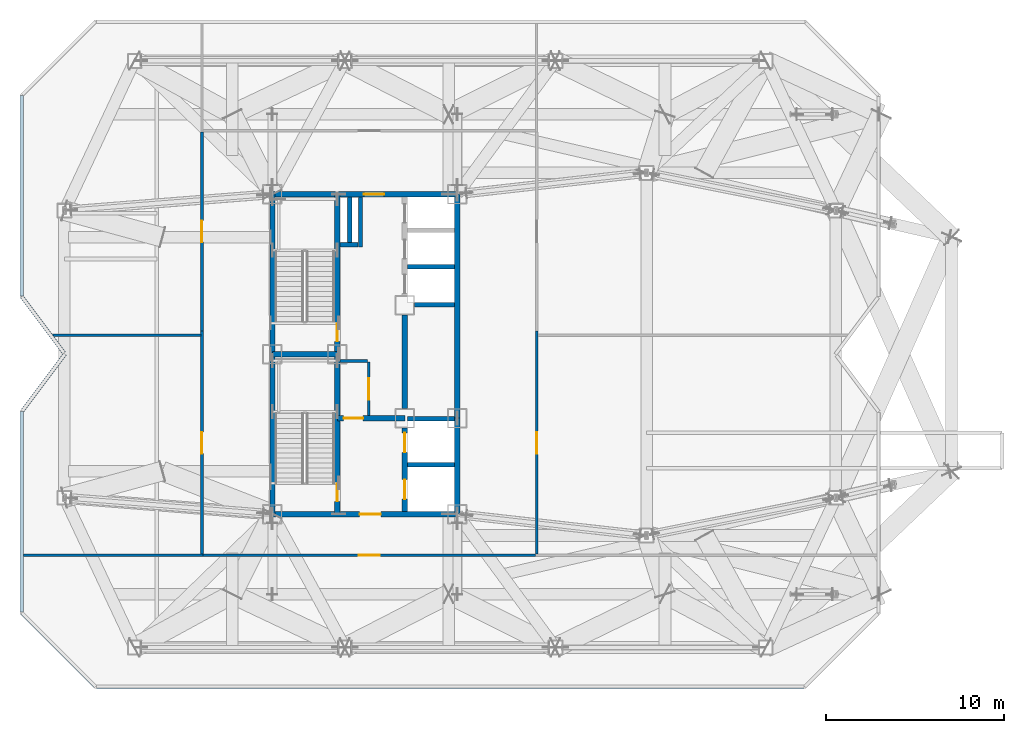
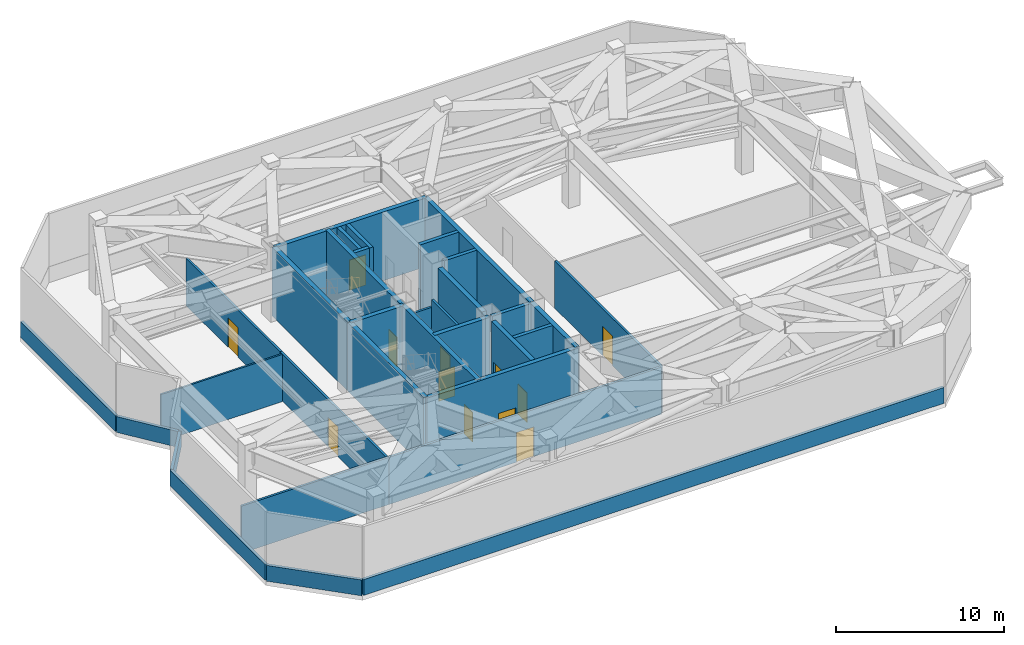
# One storey, part 14 of 19: 33 walls, 12 doors, 12 openings.
"""IFC4 building model written with IfcOpenShell, lengths in metres."""

from ifc_helpers import new_model, si_unit, direction, frame, frame_2d, origin, place, context, subcontext, project, spatial, rectangle, extrude, material, layer, layer_set, type_object, element, fill, save


model = new_model("IFC4")

# Units and contexts
model_context = context("Model", 3, precision=1e-05, world=origin(), true_north=direction((0.0, 1.0)))
body_context = subcontext(model_context, "Body", "Model", "MODEL_VIEW")
ifc_project = project(units=[si_unit("LENGTHUNIT", "METRE"), si_unit("AREAUNIT", "SQUARE_METRE"), si_unit("VOLUMEUNIT", "CUBIC_METRE"), si_unit("PLANEANGLEUNIT", "RADIAN"), si_unit("MASSUNIT", "GRAM", prefix="KILO")], contexts=[model_context])

# Site, building, storey
site_placement = place(None, origin())
site = spatial("IfcSite", under=ifc_project, at=site_placement, CompositionType="ELEMENT")
building_placement = place(site_placement, origin())
building = spatial("IfcBuilding", under=site, at=building_placement, Name="Khamvora Tower", CompositionType="ELEMENT")
storey_placement = place(building_placement, frame((0.0, 0.0, 211.800048828125)))
storey = spatial("IfcBuildingStorey", under=building, at=storey_placement, Name="L54", CompositionType="ELEMENT", Elevation=211.800048828125)

# Walls
ifc_material_1 = material(Name="Concrete C50/60", Category="concrete")
ifc_layer_1 = layer(ifc_material_1, 0.300048828125)
ifc_layer_set_1 = layer_set([ifc_layer_1], Name="Concrete C50/60")
wall_type_1 = type_object("IfcWallType", Name="WAL-CORE-300", PredefinedType="SHEAR", material=ifc_layer_set_1)
for number, where, z_axis, x_axis, name in (
    (1, (29.0, 19.0, 0.0), (0.0, 0.0, 1.0), (0.0, 1.0, 0.0), "L54 central core west south wall"),
    (2, (29.0, 28.0, 0.0), (0.0, 0.0, 1.0), (0.0, 1.0, 0.0), "L54 central core west north wall"),
):
    element("IfcWall", number, at=place(storey_placement, frame(where, z_axis=z_axis, x_axis=x_axis)), inside=storey, type_object=wall_type_1, Name=name, PredefinedType="SHEAR", context=body_context, shape_type="SweptSolid", body=[
        extrude(rectangle(XDim=9.0, YDim=0.300048828125, at=frame_2d((4.5, 0.0))), origin(), (0.0, 0.0, 1.0), 4.97998046875),
    ])

# Wall, opening, door
wall_1_placement = place(storey_placement, frame((29.0, 19.0, 0.0), z_axis=(0.0, 0.0, 1.0), x_axis=(1.0, 0.0, 0.0)))
wall_1 = element("IfcWall", 3, at=wall_1_placement, inside=storey, type_object=wall_type_1, Name="L54 central core south wall", PredefinedType="SHEAR", context=body_context, shape_type="SweptSolid", body=[
    extrude(rectangle(XDim=10.39990234375, YDim=0.300048828125, at=frame_2d((5.199951171875, 0.0))), origin(), (0.0, 0.0, 1.0), 4.97998046875),
])
opening_1_placement = place(wall_1_placement, frame((4.89990234375, 0.0, 0.0)))
opening_1 = element("IfcOpeningElement", 4, at=opening_1_placement, cuts=wall_1, Name="Opening D-CR1", PredefinedType="OPENING", context=body_context, shape_type="SweptSolid", body=[
    extrude(rectangle(XDim=1.199951171875, YDim=2.14990234375, at=frame_2d((0.60009765625, 1.074951171875))), frame((0.0, 0.159912109375, 0.0), z_axis=(0.0, -1.0, 0.0), x_axis=(1.0, 0.0, 0.0)), (0.0, 0.0, 1.0), 0.320068359375),
])
ifc_material_2 = material(Name="Powder-Coated Steel and Hardwood Leaf", Category="steel")
door_type_1 = type_object("IfcDoorType", Name="DOR-CORR-1200", OperationType="NOTDEFINED", PredefinedType="DOOR", material=ifc_material_2)
door_1_placement = place(opening_1_placement, origin())
door_1 = element("IfcDoor", 5, at=door_1_placement, inside=storey, type_object=door_type_1, Name="L54 south core lobby to corridor fire door", OperationType="SINGLE_SWING_LEFT", OverallHeight=2.14990234375, OverallWidth=1.199951171875, PredefinedType="DOOR", context=body_context, shape_type="SweptSolid", body=[
    extrude(rectangle(XDim=1.199951171875, YDim=2.14990234375, at=frame_2d((0.60009765625, 1.074951171875))), frame((0.0, 0.02490234375, 0.0), z_axis=(0.0, -1.0, 0.0), x_axis=(1.0, 0.0, 0.0)), (0.0, 0.0, 1.0), 0.050048828125),
])
fill(opening_1, door_1)

wall_2_placement = place(storey_placement, frame((29.0, 37.0, 0.0), z_axis=(0.0, 0.0, 1.0), x_axis=(1.0, 0.0, 0.0)))
wall_2 = element("IfcWall", 6, at=wall_2_placement, inside=storey, type_object=wall_type_1, Name="L54 central core north wall", PredefinedType="SHEAR", context=body_context, shape_type="SweptSolid", body=[
    extrude(rectangle(XDim=10.39990234375, YDim=0.300048828125, at=frame_2d((5.199951171875, 0.0))), origin(), (0.0, 0.0, 1.0), 4.97998046875),
])
opening_2_placement = place(wall_2_placement, frame((5.139892578125, 0.0, 0.0)))
opening_2 = element("IfcOpeningElement", 7, at=opening_2_placement, cuts=wall_2, Name="Opening D-SC1", PredefinedType="OPENING", context=body_context, shape_type="SweptSolid", body=[
    extrude(rectangle(XDim=1.14990234375, YDim=2.199951171875, at=frame_2d((0.574951171875, 1.10009765625))), frame((0.0, 0.159912109375, 0.0), z_axis=(0.0, -1.0, 0.0), x_axis=(1.0, 0.0, 0.0)), (0.0, 0.0, 1.0), 0.320068359375),
])
door_type_2 = type_object("IfcDoorType", Name="DOR-SCHL-1150", OperationType="NOTDEFINED", PredefinedType="DOOR", material=ifc_material_2)
door_2_placement = place(opening_2_placement, origin())
door_2 = element("IfcDoor", 8, at=door_2_placement, inside=storey, type_object=door_type_2, Name="L54 north core lobby to corridor fire door", OperationType="SINGLE_SWING_RIGHT", OverallHeight=2.199951171875, OverallWidth=1.14990234375, PredefinedType="DOOR", context=body_context, shape_type="SweptSolid", body=[
    extrude(rectangle(XDim=1.14990234375, YDim=2.199951171875, at=frame_2d((0.574951171875, 1.10009765625))), frame((0.0, 0.02490234375, 0.0), z_axis=(0.0, -1.0, 0.0), x_axis=(1.0, 0.0, 0.0)), (0.0, 0.0, 1.0), 0.050048828125),
])
fill(opening_2, door_2)

# Walls
wall_3_placement = place(storey_placement, frame((39.39990234375, 19.0, 0.0), z_axis=(0.0, 0.0, 1.0), x_axis=(0.0, 1.0, 0.0)))
element("IfcWall", 9, at=wall_3_placement, inside=storey, type_object=wall_type_1, Name="L54 central core east south wall", PredefinedType="SHEAR", context=body_context, shape_type="SweptSolid", body=[
    extrude(rectangle(XDim=5.39990234375, YDim=0.300048828125, at=frame_2d((2.699951171875, 0.0))), origin(), (0.0, 0.0, 1.0), 4.97998046875),
])
wall_4_placement = place(storey_placement, frame((39.39990234375, 24.39990234375, 0.0), z_axis=(0.0, 0.0, 1.0), x_axis=(0.0, 1.0, 0.0)))
element("IfcWall", 10, at=wall_4_placement, inside=storey, type_object=wall_type_1, Name="L54 central core east north wall", PredefinedType="SHEAR", context=body_context, shape_type="SweptSolid", body=[
    extrude(rectangle(XDim=12.60009765625, YDim=0.300048828125, at=frame_2d((6.300048828125, 0.0))), origin(), (0.0, 0.0, 1.0), 4.97998046875),
])

# Wall, opening, door
wall_5_placement = place(storey_placement, frame((32.64990234375, 19.0, 0.0), z_axis=(0.0, 0.0, 1.0), x_axis=(0.0, 1.0, 0.0)))
wall_5 = element("IfcWall", 11, at=wall_5_placement, inside=storey, type_object=wall_type_1, Name="L54 central core stair south spine wall", PredefinedType="SHEAR", context=body_context, shape_type="SweptSolid", body=[
    extrude(rectangle(XDim=9.0, YDim=0.300048828125, at=frame_2d((4.5, 0.0))), origin(), (0.0, 0.0, 1.0), 4.97998046875),
])
opening_3_placement = place(wall_5_placement, frame((0.719970703125, 0.0, 0.0)))
opening_3 = element("IfcOpeningElement", 12, at=opening_3_placement, cuts=wall_5, Name="Opening D-ST1", PredefinedType="OPENING", context=body_context, shape_type="SweptSolid", body=[
    extrude(rectangle(XDim=1.0, YDim=2.14990234375, at=frame_2d((0.5, 1.074951171875))), frame((0.0, 0.159912109375, 0.0), z_axis=(0.0, -1.0, 0.0), x_axis=(1.0, 0.0, 0.0)), (0.0, 0.0, 1.0), 0.320068359375),
])
door_type_3 = type_object("IfcDoorType", Name="DOR-STAIR-1000", OperationType="NOTDEFINED", PredefinedType="DOOR", material=ifc_material_2)
door_3_placement = place(opening_3_placement, origin())
door_3 = element("IfcDoor", 13, at=door_3_placement, inside=storey, type_object=door_type_3, Name="L54 exit stair ST-01 fire door", OperationType="SINGLE_SWING_RIGHT", OverallHeight=2.14990234375, OverallWidth=1.0, PredefinedType="DOOR", context=body_context, shape_type="SweptSolid", body=[
    extrude(rectangle(XDim=1.0, YDim=2.14990234375, at=frame_2d((0.5, 1.074951171875))), frame((0.0, 0.02490234375, 0.0), z_axis=(0.0, -1.0, 0.0), x_axis=(1.0, 0.0, 0.0)), (0.0, 0.0, 1.0), 0.050048828125),
])
fill(opening_3, door_3)

wall_6_placement = place(storey_placement, frame((32.64990234375, 28.0, 0.0), z_axis=(0.0, 0.0, 1.0), x_axis=(0.0, 1.0, 0.0)))
wall_6 = element("IfcWall", 14, at=wall_6_placement, inside=storey, type_object=wall_type_1, Name="L54 central core stair north spine wall", PredefinedType="SHEAR", context=body_context, shape_type="SweptSolid", body=[
    extrude(rectangle(XDim=9.0, YDim=0.300048828125, at=frame_2d((4.5, 0.0))), origin(), (0.0, 0.0, 1.0), 4.97998046875),
])
opening_4_placement = place(wall_6_placement, frame((0.719970703125, 0.0, 0.0)))
opening_4 = element("IfcOpeningElement", 15, at=opening_4_placement, cuts=wall_6, Name="Opening D-ST1", PredefinedType="OPENING", context=body_context, shape_type="SweptSolid", body=[
    extrude(rectangle(XDim=1.0, YDim=2.14990234375, at=frame_2d((0.5, 1.074951171875))), frame((0.0, 0.159912109375, 0.0), z_axis=(0.0, -1.0, 0.0), x_axis=(1.0, 0.0, 0.0)), (0.0, 0.0, 1.0), 0.320068359375),
])
door_4_placement = place(opening_4_placement, origin())
door_4 = element("IfcDoor", 16, at=door_4_placement, inside=storey, type_object=door_type_3, Name="L54 exit stair ST-02 fire door", OperationType="SINGLE_SWING_RIGHT", OverallHeight=2.14990234375, OverallWidth=1.0, PredefinedType="DOOR", context=body_context, shape_type="SweptSolid", body=[
    extrude(rectangle(XDim=1.0, YDim=2.14990234375, at=frame_2d((0.5, 1.074951171875))), frame((0.0, 0.02490234375, 0.0), z_axis=(0.0, -1.0, 0.0), x_axis=(1.0, 0.0, 0.0)), (0.0, 0.0, 1.0), 0.050048828125),
])
fill(opening_4, door_4)

# Wall
wall_7_placement = place(storey_placement, frame((29.0, 28.0, 0.0), z_axis=(0.0, 0.0, 1.0), x_axis=(1.0, 0.0, 0.0)))
element("IfcWall", 17, at=wall_7_placement, inside=storey, type_object=wall_type_1, Name="L54 central core stair cross wall", PredefinedType="SHEAR", context=body_context, shape_type="SweptSolid", body=[
    extrude(rectangle(XDim=3.64990234375, YDim=0.300048828125, at=frame_2d((1.824951171875, 0.0))), origin(), (0.0, 0.0, 1.0), 4.97998046875),
])

# Wall, opening, door
wall_8_placement = place(storey_placement, frame((32.64990234375, 24.39990234375, 0.0), z_axis=(0.0, 0.0, 1.0), x_axis=(1.0, 0.0, 0.0)))
wall_8 = element("IfcWall", 18, at=wall_8_placement, inside=storey, type_object=wall_type_1, Name="L54 central core firefighting lobby north wall", PredefinedType="SHEAR", context=body_context, shape_type="SweptSolid", body=[
    extrude(rectangle(XDim=3.800048828125, YDim=0.300048828125, at=frame_2d((1.89990234375, 0.0))), origin(), (0.0, 0.0, 1.0), 4.97998046875),
])
opening_5_placement = place(wall_8_placement, frame((0.35009765625, 0.0, 0.0)))
opening_5 = element("IfcOpeningElement", 19, at=opening_5_placement, cuts=wall_8, Name="Opening D-FF1", PredefinedType="OPENING", context=body_context, shape_type="SweptSolid", body=[
    extrude(rectangle(XDim=1.10009765625, YDim=2.14990234375, at=frame_2d((0.550048828125, 1.074951171875))), frame((0.0, 0.159912109375, 0.0), z_axis=(0.0, -1.0, 0.0), x_axis=(1.0, 0.0, 0.0)), (0.0, 0.0, 1.0), 0.320068359375),
])
door_type_4 = type_object("IfcDoorType", Name="DOR-FFLOB-1100", OperationType="NOTDEFINED", PredefinedType="DOOR", material=ifc_material_2)
door_5_placement = place(opening_5_placement, origin())
door_5 = element("IfcDoor", 20, at=door_5_placement, inside=storey, type_object=door_type_4, Name="L54 firefighting lobby smoke-seal fire door", OperationType="SINGLE_SWING_RIGHT", OverallHeight=2.14990234375, OverallWidth=1.10009765625, PredefinedType="DOOR", context=body_context, shape_type="SweptSolid", body=[
    extrude(rectangle(XDim=1.10009765625, YDim=2.14990234375, at=frame_2d((0.550048828125, 1.074951171875))), frame((0.0, 0.02490234375, 0.0), z_axis=(0.0, -1.0, 0.0), x_axis=(1.0, 0.0, 0.0)), (0.0, 0.0, 1.0), 0.050048828125),
])
fill(opening_5, door_5)

# Wall, openings, doors
wall_9_placement = place(storey_placement, frame((36.449951171875, 19.154052734375, 0.0), z_axis=(0.0, 0.0, 1.0), x_axis=(0.0, 1.0, 0.0)))
wall_9 = element("IfcWall", 21, at=wall_9_placement, inside=storey, type_object=wall_type_1, Name="L54 central core lift bank south wall", PredefinedType="SHEAR", context=body_context, shape_type="SweptSolid", body=[
    extrude(rectangle(XDim=4.696044921875, YDim=0.300048828125, at=frame_2d((2.34814453125, 0.0))), origin(), (0.0, 0.0, 1.0), 4.97998046875),
])
opening_6_placement = place(wall_9_placement, frame((0.696044921875, 0.0, 0.0)))
opening_6 = element("IfcOpeningElement", 22, at=opening_6_placement, cuts=wall_9, Name="Opening LD-FFL", PredefinedType="OPENING", context=body_context, shape_type="SweptSolid", body=[
    extrude(rectangle(XDim=1.10009765625, YDim=2.14990234375, at=frame_2d((0.550048828125, 1.074951171875))), frame((0.0, 0.159912109375, 0.0), z_axis=(0.0, -1.0, 0.0), x_axis=(1.0, 0.0, 0.0)), (0.0, 0.0, 1.0), 0.320068359375),
])
opening_7_placement = place(wall_9_placement, frame((3.31591796875, 0.0, 0.0)))
opening_7 = element("IfcOpeningElement", 23, at=opening_7_placement, cuts=wall_9, Name="Opening LD-FFL", PredefinedType="OPENING", context=body_context, shape_type="SweptSolid", body=[
    extrude(rectangle(XDim=1.10009765625, YDim=2.14990234375, at=frame_2d((0.550048828125, 1.074951171875))), frame((0.0, 0.159912109375, 0.0), z_axis=(0.0, -1.0, 0.0), x_axis=(1.0, 0.0, 0.0)), (0.0, 0.0, 1.0), 0.320068359375),
])
door_type_5 = type_object("IfcDoorType", Name="DOR-LIFT-1100", OperationType="SLIDING_TO_LEFT", PredefinedType="DOOR", material=ifc_material_2)
door_6_placement = place(opening_6_placement, origin())
door_6 = element("IfcDoor", 24, at=door_6_placement, inside=storey, type_object=door_type_5, Name="L54 lift landing sliding door FFL-01", OperationType="SLIDING_TO_LEFT", OverallHeight=2.14990234375, OverallWidth=1.10009765625, PredefinedType="DOOR", context=body_context, shape_type="SweptSolid", body=[
    extrude(rectangle(XDim=1.10009765625, YDim=2.14990234375, at=frame_2d((0.550048828125, 1.074951171875))), frame((0.0, 0.02490234375, 0.0), z_axis=(0.0, -1.0, 0.0), x_axis=(1.0, 0.0, 0.0)), (0.0, 0.0, 1.0), 0.050048828125),
])
fill(opening_6, door_6)
door_7_placement = place(opening_7_placement, origin())
door_7 = element("IfcDoor", 25, at=door_7_placement, inside=storey, type_object=door_type_5, Name="L54 lift landing sliding door FFL-02", OperationType="SLIDING_TO_LEFT", OverallHeight=2.14990234375, OverallWidth=1.10009765625, PredefinedType="DOOR", context=body_context, shape_type="SweptSolid", body=[
    extrude(rectangle(XDim=1.10009765625, YDim=2.14990234375, at=frame_2d((0.550048828125, 1.074951171875))), frame((0.0, 0.02490234375, 0.0), z_axis=(0.0, -1.0, 0.0), x_axis=(1.0, 0.0, 0.0)), (0.0, 0.0, 1.0), 0.050048828125),
])
fill(opening_7, door_7)

# Walls
wall_10_placement = place(storey_placement, frame((36.449951171875, 24.949951171875, 0.0), z_axis=(0.0, 0.0, 1.0), x_axis=(0.0, 1.0, 0.0)))
element("IfcWall", 26, at=wall_10_placement, inside=storey, type_object=wall_type_1, Name="L54 central core lift bank central wall", PredefinedType="SHEAR", context=body_context, shape_type="SweptSolid", body=[
    extrude(rectangle(XDim=5.25, YDim=0.300048828125, at=frame_2d((2.625, 0.0))), origin(), (0.0, 0.0, 1.0), 4.97998046875),
])
ifc_material_3 = material(Name="Fire-Rated Drywall and Steel Stud", Category="steel")
ifc_layer_2 = layer(ifc_material_3, 0.14990234375)
ifc_layer_set_2 = layer_set([ifc_layer_2], Name="Fire-Rated Drywall and Steel Stud")
wall_type_2 = type_object("IfcWallType", Name="WAL-CORR-150", PredefinedType="STANDARD", material=ifc_layer_set_2)
wall_11_placement = place(storey_placement, frame((32.7939453125, 27.614990234375, 0.0), z_axis=(0.0, 0.0, 1.0), x_axis=(1.0, 0.0, 0.0)))
element("IfcWall", 27, at=wall_11_placement, inside=storey, type_object=wall_type_2, Name="L54 interior partition wall 001", PredefinedType="STANDARD", context=body_context, shape_type="SweptSolid", body=[
    extrude(rectangle(XDim=1.55615234375, YDim=0.14990234375, at=frame_2d((0.778076171875, 0.0))), origin(), (0.0, 0.0, 1.0), 4.43701171875),
])

# Wall, opening, door
wall_12_placement = place(storey_placement, frame((34.4150390625, 27.550048828125, 0.0), z_axis=(0.0, 0.0, 1.0), x_axis=(0.0, -1.0, 0.0)))
wall_12 = element("IfcWall", 28, at=wall_12_placement, inside=storey, type_object=wall_type_2, Name="L54 interior partition wall 002", PredefinedType="STANDARD", context=body_context, shape_type="SweptSolid", body=[
    extrude(rectangle(XDim=3.006103515625, YDim=0.14990234375, at=frame_2d((1.5029296875, 0.0))), origin(), (0.0, 0.0, 1.0), 4.97998046875),
])
opening_8_placement = place(wall_12_placement, frame((0.903076171875, 0.0, 0.0)))
opening_8 = element("IfcOpeningElement", 29, at=opening_8_placement, cuts=wall_12, Name="Opening D-PL1", PredefinedType="OPENING", context=body_context, shape_type="SweptSolid", body=[
    extrude(rectangle(XDim=1.199951171875, YDim=2.14990234375, at=frame_2d((0.60009765625, 1.074951171875))), frame((0.0, 0.0849609375, 0.0), z_axis=(0.0, -1.0, 0.0), x_axis=(1.0, 0.0, 0.0)), (0.0, 0.0, 1.0), 0.169921875),
])
door_type_6 = type_object("IfcDoorType", Name="DOR-PLNT-1200", OperationType="NOTDEFINED", PredefinedType="DOOR", material=ifc_material_2)
door_8_placement = place(opening_8_placement, origin())
door_8 = element("IfcDoor", 30, at=door_8_placement, inside=storey, type_object=door_type_6, Name="L54 interior door CSR-PCR", OperationType="SINGLE_SWING_LEFT", OverallHeight=2.14990234375, OverallWidth=1.199951171875, PredefinedType="DOOR", context=body_context, shape_type="SweptSolid", body=[
    extrude(rectangle(XDim=1.199951171875, YDim=2.14990234375, at=frame_2d((0.60009765625, 1.074951171875))), frame((0.0, 0.02490234375, 0.0), z_axis=(0.0, -1.0, 0.0), x_axis=(1.0, 0.0, 0.0)), (0.0, 0.0, 1.0), 0.050048828125),
])
fill(opening_8, door_8)

wall_13_placement = place(storey_placement, frame((43.800048828125, 16.68505859375, 0.0), z_axis=(0.0, 0.0, 1.0), x_axis=(-1.0, 0.0, 0.0)))
wall_13 = element("IfcWall", 31, at=wall_13_placement, inside=storey, type_object=wall_type_2, Name="L54 interior partition wall 003", PredefinedType="STANDARD", context=body_context, shape_type="SweptSolid", body=[
    extrude(rectangle(XDim=18.699951171875, YDim=0.14990234375, at=frame_2d((9.35009765625, 0.0))), origin(), (0.0, 0.0, 1.0), 3.419921875),
])
opening_9_placement = place(wall_13_placement, frame((8.75, 0.0, 0.0)))
opening_9 = element("IfcOpeningElement", 32, at=opening_9_placement, cuts=wall_13, Name="Opening D-PL1", PredefinedType="OPENING", context=body_context, shape_type="SweptSolid", body=[
    extrude(rectangle(XDim=1.199951171875, YDim=2.14990234375, at=frame_2d((0.60009765625, 1.074951171875))), frame((0.0, 0.0849609375, 0.0), z_axis=(0.0, -1.0, 0.0), x_axis=(1.0, 0.0, 0.0)), (0.0, 0.0, 1.0), 0.169921875),
])
door_9_placement = place(opening_9_placement, origin())
door_9 = element("IfcDoor", 33, at=door_9_placement, inside=storey, type_object=door_type_6, Name="L54 interior door PCOR-REF", OperationType="SINGLE_SWING_RIGHT", OverallHeight=2.14990234375, OverallWidth=1.199951171875, PredefinedType="DOOR", context=body_context, shape_type="SweptSolid", body=[
    extrude(rectangle(XDim=1.199951171875, YDim=2.14990234375, at=frame_2d((0.60009765625, 1.074951171875))), frame((0.0, 0.02490234375, 0.0), z_axis=(0.0, -1.0, 0.0), x_axis=(1.0, 0.0, 0.0)), (0.0, 0.0, 1.0), 0.050048828125),
])
fill(opening_9, door_9)

wall_14_placement = place(storey_placement, frame((25.034912109375, 16.75, 0.0), z_axis=(0.0, 0.0, 1.0), x_axis=(0.0, 1.0, 0.0)))
wall_14 = element("IfcWall", 34, at=wall_14_placement, inside=storey, type_object=wall_type_2, Name="L54 interior partition wall 004", PredefinedType="STANDARD", context=body_context, shape_type="SweptSolid", body=[
    extrude(rectangle(XDim=12.56396484375, YDim=0.14990234375, at=frame_2d((6.281982421875, 0.0))), origin(), (0.0, 0.0, 1.0), 3.419921875),
])
opening_10_placement = place(wall_14_placement, frame((5.660888671875, 0.0, 0.0)))
opening_10 = element("IfcOpeningElement", 35, at=opening_10_placement, cuts=wall_14, Name="Opening D-PL1", PredefinedType="OPENING", context=body_context, shape_type="SweptSolid", body=[
    extrude(rectangle(XDim=1.199951171875, YDim=2.14990234375, at=frame_2d((0.60009765625, 1.074951171875))), frame((0.0, 0.0849609375, 0.0), z_axis=(0.0, -1.0, 0.0), x_axis=(1.0, 0.0, 0.0)), (0.0, 0.0, 1.0), 0.169921875),
])
door_10_placement = place(opening_10_placement, origin())
door_10 = element("IfcDoor", 36, at=door_10_placement, inside=storey, type_object=door_type_6, Name="L54 interior door PCOR-AHU", OperationType="SINGLE_SWING_LEFT", OverallHeight=2.14990234375, OverallWidth=1.199951171875, PredefinedType="DOOR", context=body_context, shape_type="SweptSolid", body=[
    extrude(rectangle(XDim=1.199951171875, YDim=2.14990234375, at=frame_2d((0.60009765625, 1.074951171875))), frame((0.0, 0.02490234375, 0.0), z_axis=(0.0, -1.0, 0.0), x_axis=(1.0, 0.0, 0.0)), (0.0, 0.0, 1.0), 0.050048828125),
])
fill(opening_10, door_10)

wall_15_placement = place(storey_placement, frame((25.034912109375, 29.31396484375, 0.0), z_axis=(0.0, 0.0, 1.0), x_axis=(0.0, 1.0, 0.0)))
wall_15 = element("IfcWall", 37, at=wall_15_placement, inside=storey, type_object=wall_type_2, Name="L54 interior partition wall 005", PredefinedType="STANDARD", context=body_context, shape_type="SweptSolid", body=[
    extrude(rectangle(XDim=11.18603515625, YDim=0.14990234375, at=frame_2d((5.593017578125, 0.0))), origin(), (0.0, 0.0, 1.0), 3.419921875),
])
opening_11_placement = place(wall_15_placement, frame((4.992919921875, 0.0, 0.0)))
opening_11 = element("IfcOpeningElement", 38, at=opening_11_placement, cuts=wall_15, Name="Opening D-PL1", PredefinedType="OPENING", context=body_context, shape_type="SweptSolid", body=[
    extrude(rectangle(XDim=1.199951171875, YDim=2.14990234375, at=frame_2d((0.60009765625, 1.074951171875))), frame((0.0, 0.0849609375, 0.0), z_axis=(0.0, -1.0, 0.0), x_axis=(1.0, 0.0, 0.0)), (0.0, 0.0, 1.0), 0.169921875),
])
door_11_placement = place(opening_11_placement, origin())
door_11 = element("IfcDoor", 39, at=door_11_placement, inside=storey, type_object=door_type_6, Name="L54 interior door PCOR-SMK", OperationType="SINGLE_SWING_RIGHT", OverallHeight=2.14990234375, OverallWidth=1.199951171875, PredefinedType="DOOR", context=body_context, shape_type="SweptSolid", body=[
    extrude(rectangle(XDim=1.199951171875, YDim=2.14990234375, at=frame_2d((0.60009765625, 1.074951171875))), frame((0.0, 0.02490234375, 0.0), z_axis=(0.0, -1.0, 0.0), x_axis=(1.0, 0.0, 0.0)), (0.0, 0.0, 1.0), 0.050048828125),
])
fill(opening_11, door_11)

wall_16_placement = place(storey_placement, frame((43.864990234375, 29.31396484375, 0.0), z_axis=(0.0, 0.0, 1.0), x_axis=(0.0, -1.0, 0.0)))
wall_16 = element("IfcWall", 40, at=wall_16_placement, inside=storey, type_object=wall_type_2, Name="L54 interior partition wall 006", PredefinedType="STANDARD", context=body_context, shape_type="SweptSolid", body=[
    extrude(rectangle(XDim=12.56396484375, YDim=0.14990234375, at=frame_2d((6.281982421875, 0.0))), origin(), (0.0, 0.0, 1.0), 3.419921875),
])
opening_12_placement = place(wall_16_placement, frame((5.702880859375, 0.0, 0.0)))
opening_12 = element("IfcOpeningElement", 41, at=opening_12_placement, cuts=wall_16, Name="Opening D-PL1", PredefinedType="OPENING", context=body_context, shape_type="SweptSolid", body=[
    extrude(rectangle(XDim=1.199951171875, YDim=2.14990234375, at=frame_2d((0.60009765625, 1.074951171875))), frame((0.0, 0.0849609375, 0.0), z_axis=(0.0, -1.0, 0.0), x_axis=(1.0, 0.0, 0.0)), (0.0, 0.0, 1.0), 0.169921875),
])
door_12_placement = place(opening_12_placement, origin())
door_12 = element("IfcDoor", 42, at=door_12_placement, inside=storey, type_object=door_type_6, Name="L54 interior door PCOR-CHL", OperationType="SINGLE_SWING_LEFT", OverallHeight=2.14990234375, OverallWidth=1.199951171875, PredefinedType="DOOR", context=body_context, shape_type="SweptSolid", body=[
    extrude(rectangle(XDim=1.199951171875, YDim=2.14990234375, at=frame_2d((0.60009765625, 1.074951171875))), frame((0.0, 0.02490234375, 0.0), z_axis=(0.0, -1.0, 0.0), x_axis=(1.0, 0.0, 0.0)), (0.0, 0.0, 1.0), 0.050048828125),
])
fill(opening_12, door_12)

# Walls
wall_17_placement = place(storey_placement, frame((14.991943359375, 16.68505859375, 0.0), z_axis=(0.0, 0.0, 1.0), x_axis=(1.0, 0.0, 0.0)))
element("IfcWall", 43, at=wall_17_placement, inside=storey, type_object=wall_type_2, Name="L54 interior partition wall 009", PredefinedType="STANDARD", context=body_context, shape_type="SweptSolid", body=[
    extrude(rectangle(XDim=10.108154296875, YDim=0.14990234375, at=frame_2d((5.05419921875, 0.0))), origin(), (0.0, 0.0, 1.0), 3.419921875),
])
ifc_material_4 = material(Name="Precast concrete C40/50", Category="concrete")
ifc_layer_3 = layer(ifc_material_4, 0.199951171875)
ifc_layer_set_3 = layer_set([ifc_layer_3], Name="Precast concrete C40/50")
wall_type_3 = type_object("IfcWallType", Name="WAL-EXT-200", PredefinedType="STANDARD", material=ifc_layer_set_3)
wall_18_placement = place(storey_placement, frame((19.041015625, 9.300048828125, 0.0), z_axis=(0.0, 0.0, 1.0), x_axis=(-0.707127625344, 0.707085936414, 0.0)))
element("IfcWall", 44, at=wall_18_placement, inside=storey, type_object=wall_type_3, Name="L54 plant perimeter spandrel wall 01.1", PredefinedType="STANDARD", context=body_context, shape_type="SweptSolid", body=[
    extrude(rectangle(XDim=5.856201171875, YDim=0.199951171875, at=frame_2d((2.92822265625, 0.0))), origin(), (0.0, 0.0, 1.0), 1.14990234375),
])
wall_19_placement = place(storey_placement, frame((14.89990234375, 13.50390625, 0.0), z_axis=(0.0, 0.0, 1.0), x_axis=(0.0, 1.0, 0.0)))
element("IfcWall", 45, at=wall_19_placement, inside=storey, type_object=wall_type_3, Name="L54 plant perimeter spandrel wall 02.1", PredefinedType="STANDARD", context=body_context, shape_type="SweptSolid", body=[
    extrude(rectangle(XDim=11.26318359375, YDim=0.199951171875, at=frame_2d((5.631591796875, 0.0))), origin(), (0.0, 0.0, 1.0), 1.14990234375),
])
wall_20_placement = place(storey_placement, frame((14.929931640625, 24.806884765625, 0.0), z_axis=(0.0, 0.0, 1.0), x_axis=(0.600029358831, 0.799977980035, 0.0)))
element("IfcWall", 46, at=wall_20_placement, inside=storey, type_object=wall_type_3, Name="L54 plant perimeter spandrel wall 03.1", PredefinedType="STANDARD", context=body_context, shape_type="SweptSolid", body=[
    extrude(rectangle(XDim=3.991455078125, YDim=0.199951171875, at=frame_2d((1.99560546875, 0.0))), origin(), (0.0, 0.0, 1.0), 1.14990234375),
])
wall_21_placement = place(storey_placement, frame((17.27294921875, 28.069091796875, 0.0), z_axis=(0.0, 0.0, 1.0), x_axis=(-0.600029630681, 0.799977776132, 0.0)))
element("IfcWall", 47, at=wall_21_placement, inside=storey, type_object=wall_type_3, Name="L54 plant perimeter spandrel wall 04.1", PredefinedType="STANDARD", context=body_context, shape_type="SweptSolid", body=[
    extrude(rectangle(XDim=3.954833984375, YDim=0.199951171875, at=frame_2d((1.9775390625, 0.0))), origin(), (0.0, 0.0, 1.0), 1.14990234375),
])
wall_22_placement = place(storey_placement, frame((14.89990234375, 31.283935546875, 0.0), z_axis=(0.0, 0.0, 1.0), x_axis=(0.0, 1.0, 0.0)))
element("IfcWall", 48, at=wall_22_placement, inside=storey, type_object=wall_type_3, Name="L54 plant perimeter spandrel wall 05.1", PredefinedType="STANDARD", context=body_context, shape_type="SweptSolid", body=[
    extrude(rectangle(XDim=11.275146484375, YDim=0.199951171875, at=frame_2d((5.6376953125, 0.0))), origin(), (0.0, 0.0, 1.0), 1.14990234375),
])
wall_23_placement = place(storey_placement, frame((58.89599609375, 9.300048828125, 0.0), z_axis=(0.0, 0.0, 1.0), x_axis=(-1.0, 0.0, 0.0)))
element("IfcWall", 49, at=wall_23_placement, inside=storey, type_object=wall_type_3, Name="L54 plant perimeter spandrel wall 14.1", PredefinedType="STANDARD", context=body_context, shape_type="SweptSolid", body=[
    extrude(rectangle(XDim=39.79296875, YDim=0.199951171875, at=frame_2d((19.896484375, 0.0))), origin(), (0.0, 0.0, 1.0), 1.14990234375),
])
ifc_material_5 = material(Name="Gypsum Plasterboard Partition", Category="gypsum")
ifc_layer_4 = layer(ifc_material_5, 0.1201171875)
ifc_layer_set_4 = layer_set([ifc_layer_4], Name="Gypsum Plasterboard Partition")
wall_type_4 = type_object("IfcWallType", Name="WAL-PART-120", PredefinedType="PARTITIONING", material=ifc_layer_set_4)
wall_24_placement = place(storey_placement, frame((16.6298828125, 29.06494140625, 0.0), z_axis=(0.0, 0.0, 1.0), x_axis=(1.0, 0.0, 0.0)))
element("IfcWall", 50, at=wall_24_placement, inside=storey, type_object=wall_type_4, Name="L54 interior partition wall 011", PredefinedType="PARTITIONING", context=body_context, shape_type="SweptSolid", body=[
    extrude(rectangle(XDim=8.340087890625, YDim=0.1201171875, at=frame_2d((4.169921875, 0.0))), origin(), (0.0, 0.0, 1.0), 3.419921875),
])
ifc_material_6 = material(Name="Concrete C40/50", Category="concrete")
ifc_layer_5 = layer(ifc_material_6, 0.25)
ifc_layer_set_5 = layer_set([ifc_layer_5], Name="Concrete C40/50")
wall_type_5 = type_object("IfcWallType", Name="WAL-PODS-250", PredefinedType="SHEAR", material=ifc_layer_set_5)
for number, where, z_axis, x_axis, name in (
    (51, (36.60400390625, 21.77490234375, 0.0), (0.0, 0.0, 1.0), (1.0, 0.0, 0.0), "L54 lift shaft divider wall FFL-01"),
    (52, (36.60400390625, 24.375, 0.0), (0.0, 0.0, 1.0), (1.0, 0.0, 0.0), "L54 lift shaft divider wall FFL-02"),
):
    element("IfcWall", number, at=place(storey_placement, frame(where, z_axis=z_axis, x_axis=x_axis)), inside=storey, type_object=wall_type_5, Name=name, PredefinedType="SHEAR", context=body_context, shape_type="SweptSolid", body=[
        extrude(rectangle(XDim=2.64208984375, YDim=0.25, at=frame_2d((1.321044921875, 0.0))), origin(), (0.0, 0.0, 1.0), 4.97998046875),
    ])
wall_25_placement = place(storey_placement, frame((37.00390625, 30.77490234375, 0.0), z_axis=(0.0, 0.0, 1.0), x_axis=(1.0, 0.0, 0.0)))
element("IfcWall", 53, at=wall_25_placement, inside=storey, type_object=wall_type_5, Name="L54 high-rise lift shaft south enclosure wall PH-01", PredefinedType="SHEAR", context=body_context, shape_type="SweptSolid", body=[
    extrude(rectangle(XDim=2.2421875, YDim=0.25, at=frame_2d((1.12109375, 0.0))), origin(), (0.0, 0.0, 1.0), 4.97998046875),
])
wall_26_placement = place(storey_placement, frame((36.60400390625, 32.925048828125, 0.0), z_axis=(0.0, 0.0, 1.0), x_axis=(1.0, 0.0, 0.0)))
element("IfcWall", 54, at=wall_26_placement, inside=storey, type_object=wall_type_5, Name="L54 lift shaft divider wall PH-01", PredefinedType="SHEAR", context=body_context, shape_type="SweptSolid", body=[
    extrude(rectangle(XDim=2.64208984375, YDim=0.25, at=frame_2d((1.321044921875, 0.0))), origin(), (0.0, 0.0, 1.0), 4.97998046875),
])
wall_27_placement = place(storey_placement, frame((33.955078125, 34.02490234375, 0.0), z_axis=(0.0, 0.0, 1.0), x_axis=(0.0, 1.0, 0.0)))
element("IfcWall", 55, at=wall_27_placement, inside=storey, type_object=wall_type_5, Name="L54 vertical MEP riser shaft east enclosure wall", PredefinedType="SHEAR", context=body_context, shape_type="SweptSolid", body=[
    extrude(rectangle(XDim=2.821044921875, YDim=0.25, at=frame_2d((1.41064453125, 0.0))), origin(), (0.0, 0.0, 1.0), 4.97998046875),
])
wall_28_placement = place(storey_placement, frame((32.803955078125, 34.14990234375, 0.0), z_axis=(0.0, 0.0, 1.0), x_axis=(1.0, 0.0, 0.0)))
element("IfcWall", 56, at=wall_28_placement, inside=storey, type_object=wall_type_5, Name="L54 vertical MEP riser shaft south enclosure wall", PredefinedType="SHEAR", context=body_context, shape_type="SweptSolid", body=[
    extrude(rectangle(XDim=1.02197265625, YDim=0.25, at=frame_2d((0.510986328125, 0.0))), origin(), (0.0, 0.0, 1.0), 4.97998046875),
])
wall_29_placement = place(storey_placement, frame((33.340087890625, 34.279052734375, 0.0), z_axis=(0.0, 0.0, 1.0), x_axis=(0.0, 1.0, 0.0)))
element("IfcWall", 57, at=wall_29_placement, inside=storey, type_object=wall_type_5, Name="L54 vertical MEP riser shaft divider enclosure wall", PredefinedType="SHEAR", context=body_context, shape_type="SweptSolid", body=[
    extrude(rectangle(XDim=2.56689453125, YDim=0.25, at=frame_2d((1.283447265625, 0.0))), origin(), (0.0, 0.0, 1.0), 4.97998046875),
])

save(model, "model.ifc")
